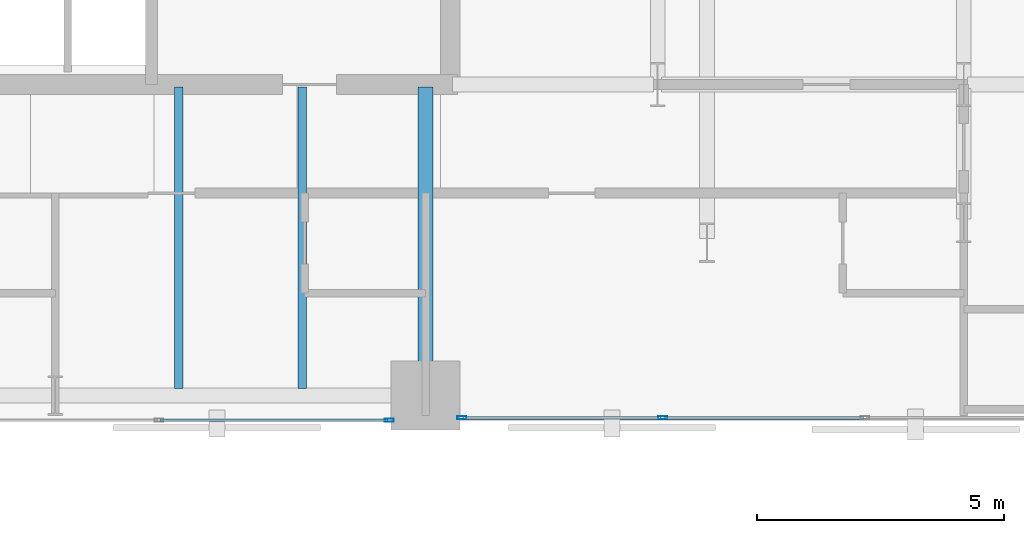
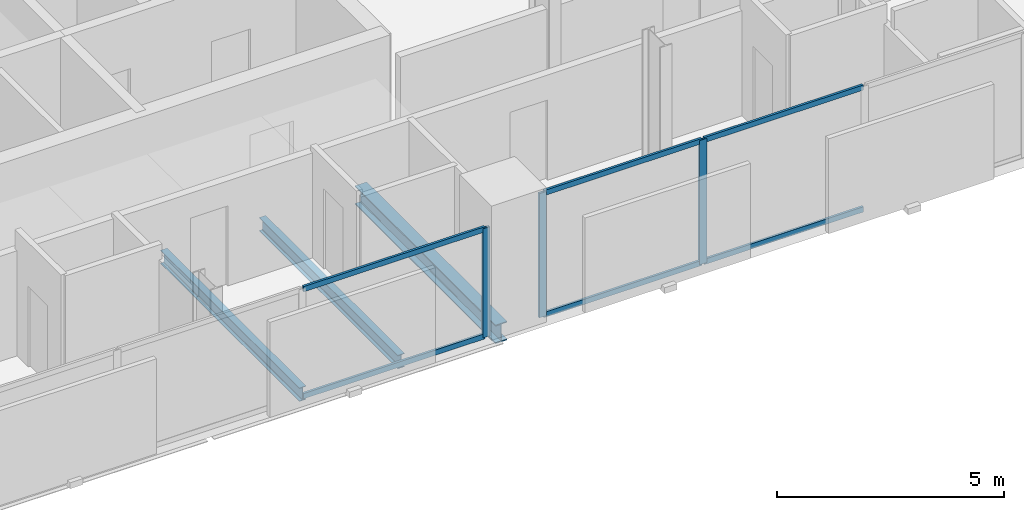
# One storey, part 15 of 33: 9 members, 3 beams, 2 elements without a shape of their own.
"""IFC4 building model written with IfcOpenShell, lengths in metres."""

from ifc_helpers import new_model, si_unit, direction, frame, origin, origin_2d, place, context, subcontext, project, spatial, hollow_rectangle, i_section, extrude, material, layer, layer_set, material_profile, profile_set, type_object, element, aggregate, save


model = new_model("IFC4")

# Units and contexts
model_context = context("Model", 3, precision=1e-05, world=origin(), true_north=direction((0.0, 1.0)))
body_context = subcontext(model_context, "Body", "Model", "MODEL_VIEW")
ifc_project = project(units=[si_unit("LENGTHUNIT", "METRE"), si_unit("AREAUNIT", "SQUARE_METRE"), si_unit("VOLUMEUNIT", "CUBIC_METRE"), si_unit("PLANEANGLEUNIT", "RADIAN"), si_unit("MASSUNIT", "GRAM", prefix="KILO")], contexts=[model_context])

# Site, building, storey
site_placement = place(None, origin())
site = spatial("IfcSite", under=ifc_project, at=site_placement, CompositionType="ELEMENT")
building_placement = place(site_placement, origin())
building = spatial("IfcBuilding", under=site, at=building_placement, Name="Catumbela Crestline Tower", CompositionType="ELEMENT")
storey_placement = place(building_placement, frame((0.0, 0.0, 51.0)))
storey = spatial("IfcBuildingStorey", under=building, at=storey_placement, Name="L12", CompositionType="ELEMENT", Elevation=51.0)

# Beams
ifc_material_1 = material(Name="Structural steel S355J2", Category="steel")
ifc_material_profile_1 = material_profile(ifc_material_1, i_section(OverallWidth=0.3, OverallDepth=0.5, WebThickness=0.0145, FlangeThickness=0.028, FilletRadius=0.027, at=origin_2d()), Name="HEB 500")
ifc_profile_set_1 = profile_set([ifc_material_profile_1], Name="Structural steel S355J2")
beam_type_1 = type_object("IfcBeamType", Name="BG-HEB500", PredefinedType="BEAM", material=ifc_profile_set_1)
beam_placement = place(storey_placement, frame((39.5, 24.58, -0.51), z_axis=(0.0, 1.0, 0.0), x_axis=(-1.0, 0.0, 0.0)))
element("IfcBeam", 1, at=beam_placement, inside=storey, type_object=beam_type_1, Name="L12 Beam BM-L12-SNS34", PredefinedType="BEAM", context=body_context, shape_type="SweptSolid", body=[
    extrude(i_section(OverallWidth=0.3, OverallDepth=0.5, WebThickness=0.0145, FlangeThickness=0.028, FilletRadius=0.027, at=origin_2d()), origin(), (0.0, 0.0, 1.0), 6.17),
])
ifc_material_profile_2 = material_profile(ifc_material_1, i_section(OverallWidth=0.17, OverallDepth=0.36, WebThickness=0.008, FlangeThickness=0.0127, FilletRadius=0.018, at=origin_2d()), Name="IPE 360")
ifc_profile_set_2 = profile_set([ifc_material_profile_2], Name="Structural steel S355J2")
beam_type_2 = type_object("IfcBeamType", Name="BJ-IPE360", PredefinedType="JOIST", material=ifc_profile_set_2)
for number, where, z_axis, x_axis, name in (
    (2, (34.5, 24.647, -0.44), (0.0, 1.0, 0.0), (-1.0, 0.0, 0.0), "L12 Joist JS-L12-SP46"),
    (3, (37.0, 24.647, -0.44), (0.0, 1.0, 0.0), (-1.0, 0.0, 0.0), "L12 Joist JS-L12-SP47"),
):
    element("IfcBeam", number, at=place(storey_placement, frame(where, z_axis=z_axis, x_axis=x_axis)), inside=storey, type_object=beam_type_2, Name=name, PredefinedType="JOIST", context=body_context, shape_type="SweptSolid", body=[
        extrude(i_section(OverallWidth=0.17, OverallDepth=0.36, WebThickness=0.008, FlangeThickness=0.0127, FilletRadius=0.018, at=origin_2d()), origin(), (0.0, 0.0, 1.0), 6.103),
    ])

# Curtain wall, member
ifc_material_2 = material(Name="Aluminium alloy AW-6060-T66", Category="aluminium")
ifc_layer = layer(ifc_material_2, 0.18, Name="Aluminium alloy AW-6060-T66")
ifc_layer_set = layer_set([ifc_layer], Name="Aluminium alloy AW-6060-T66")
curtain_wall_type = type_object("IfcCurtainWallType", Name="CWU-Z1", PredefinedType="USERDEFINED", material=ifc_layer_set)
curtain_wall_1_placement = place(storey_placement, origin())
curtain_wall_1 = element("IfcCurtainWall", 4, at=curtain_wall_1_placement, inside=storey, type_object=curtain_wall_type, Name="L12 Unitised Curtain Wall CW-L12-E3S1", ObjectType="UNITISED", PredefinedType="USERDEFINED")
ifc_material_profile_3 = material_profile(ifc_material_2, hollow_rectangle(XDim=0.065, YDim=0.18, WallThickness=0.004, at=origin_2d()), Name="ALU 180x65x4")
ifc_profile_set_3 = profile_set([ifc_material_profile_3], Name="Aluminium alloy AW-6060-T66")
member_type_1 = type_object("IfcMemberType", Name="MUL-180X65", PredefinedType="MULLION", material=ifc_profile_set_3)
member_1_placement = place(storey_placement, frame((38.7675, 24.0, 0.0), z_axis=(0.0, 0.0, 1.0), x_axis=(0.0, 1.0, 0.0)))
member_1 = element("IfcMember", 5, at=member_1_placement, type_object=member_type_1, Name="CWU-Z1 mullion 4", PredefinedType="MULLION", context=body_context, shape_type="SweptSolid", body=[
    extrude(hollow_rectangle(XDim=0.065, YDim=0.18, WallThickness=0.004, at=origin_2d()), origin(), (0.0, 0.0, 1.0), 2.93),
])

# Curtain wall, members
curtain_wall_2_placement = place(storey_placement, origin())
curtain_wall_2 = element("IfcCurtainWall", 6, at=curtain_wall_2_placement, inside=storey, type_object=curtain_wall_type, Name="L12 Unitised Curtain Wall CW-L12-E3S2", ObjectType="UNITISED", PredefinedType="USERDEFINED")
member_2_placement = place(storey_placement, frame((40.2325, 24.05, 0.0), z_axis=(0.0, 0.0, 1.0), x_axis=(0.0, 1.0, 0.0)))
member_2 = element("IfcMember", 7, at=member_2_placement, type_object=member_type_1, Name="CWU-Z1 mullion 1", PredefinedType="MULLION", context=body_context, shape_type="SweptSolid", body=[
    extrude(hollow_rectangle(XDim=0.065, YDim=0.18, WallThickness=0.004, at=origin_2d()), origin(), (0.0, 0.0, 1.0), 3.33),
])
member_3_placement = place(storey_placement, frame((44.3, 24.05, 0.0), z_axis=(0.0, 0.0, 1.0), x_axis=(0.0, 1.0, 0.0)))
member_3 = element("IfcMember", 8, at=member_3_placement, type_object=member_type_1, Name="CWU-Z1 mullion 2", PredefinedType="MULLION", context=body_context, shape_type="SweptSolid", body=[
    extrude(hollow_rectangle(XDim=0.065, YDim=0.18, WallThickness=0.004, at=origin_2d()), origin(), (0.0, 0.0, 1.0), 3.33),
])

# Member
ifc_material_profile_4 = material_profile(ifc_material_2, hollow_rectangle(XDim=0.06, YDim=0.14, WallThickness=0.004, at=origin_2d()), Name="ALU 140x60x4")
ifc_profile_set_4 = profile_set([ifc_material_profile_4], Name="Aluminium alloy AW-6060-T66")
member_type_2 = type_object("IfcMemberType", Name="TRN-140X60", PredefinedType="USERDEFINED", material=ifc_profile_set_4)
member_4_placement = place(storey_placement, frame((34.1325, 24.0, 0.03), z_axis=(1.0, 0.0, 0.0), x_axis=(0.0, 1.0, 0.0)))
member_4 = element("IfcMember", 9, at=member_4_placement, type_object=member_type_2, Name="CWU-Z1 transom 3.1", ObjectType="TRANSOM", PredefinedType="USERDEFINED", context=body_context, shape_type="SweptSolid", body=[
    extrude(hollow_rectangle(XDim=0.06, YDim=0.14, WallThickness=0.004, at=origin_2d()), origin(), (0.0, 0.0, 1.0), 4.6025),
])

member_5_placement = place(storey_placement, frame((34.1325, 24.0, 2.9), z_axis=(1.0, 0.0, 0.0), x_axis=(0.0, 1.0, 0.0)))
member_5 = element("IfcMember", 10, at=member_5_placement, type_object=member_type_2, Name="CWU-Z1 transom 3.2", ObjectType="TRANSOM", PredefinedType="USERDEFINED", context=body_context, shape_type="SweptSolid", body=[
    extrude(hollow_rectangle(XDim=0.06, YDim=0.14, WallThickness=0.004, at=origin_2d()), origin(), (0.0, 0.0, 1.0), 4.6025),
])

aggregate(curtain_wall_1, [member_1, member_4, member_5])

member_6_placement = place(storey_placement, frame((40.265, 24.05, 0.03), z_axis=(1.0, 0.0, 0.0), x_axis=(0.0, 1.0, 0.0)))
member_6 = element("IfcMember", 11, at=member_6_placement, type_object=member_type_2, Name="CWU-Z1 transom 1.1", ObjectType="TRANSOM", PredefinedType="USERDEFINED", context=body_context, shape_type="SweptSolid", body=[
    extrude(hollow_rectangle(XDim=0.06, YDim=0.14, WallThickness=0.004, at=origin_2d()), origin(), (0.0, 0.0, 1.0), 4.0025),
])

member_7_placement = place(storey_placement, frame((40.265, 24.05, 3.3), z_axis=(1.0, 0.0, 0.0), x_axis=(0.0, 1.0, 0.0)))
member_7 = element("IfcMember", 12, at=member_7_placement, type_object=member_type_2, Name="CWU-Z1 transom 1.2", ObjectType="TRANSOM", PredefinedType="USERDEFINED", context=body_context, shape_type="SweptSolid", body=[
    extrude(hollow_rectangle(XDim=0.06, YDim=0.14, WallThickness=0.004, at=origin_2d()), origin(), (0.0, 0.0, 1.0), 4.0025),
])

member_8_placement = place(storey_placement, frame((44.3325, 24.05, 0.03), z_axis=(1.0, 0.0, 0.0), x_axis=(0.0, 1.0, 0.0)))
member_8 = element("IfcMember", 13, at=member_8_placement, type_object=member_type_2, Name="CWU-Z1 transom 2.1", ObjectType="TRANSOM", PredefinedType="USERDEFINED", context=body_context, shape_type="SweptSolid", body=[
    extrude(hollow_rectangle(XDim=0.06, YDim=0.14, WallThickness=0.004, at=origin_2d()), origin(), (0.0, 0.0, 1.0), 4.035),
])

member_9_placement = place(storey_placement, frame((44.3325, 24.05, 3.3), z_axis=(1.0, 0.0, 0.0), x_axis=(0.0, 1.0, 0.0)))
member_9 = element("IfcMember", 14, at=member_9_placement, type_object=member_type_2, Name="CWU-Z1 transom 2.2", ObjectType="TRANSOM", PredefinedType="USERDEFINED", context=body_context, shape_type="SweptSolid", body=[
    extrude(hollow_rectangle(XDim=0.06, YDim=0.14, WallThickness=0.004, at=origin_2d()), origin(), (0.0, 0.0, 1.0), 4.035),
])

aggregate(curtain_wall_2, [member_2, member_3, member_6, member_7, member_8, member_9])

save(model, "model.ifc")
